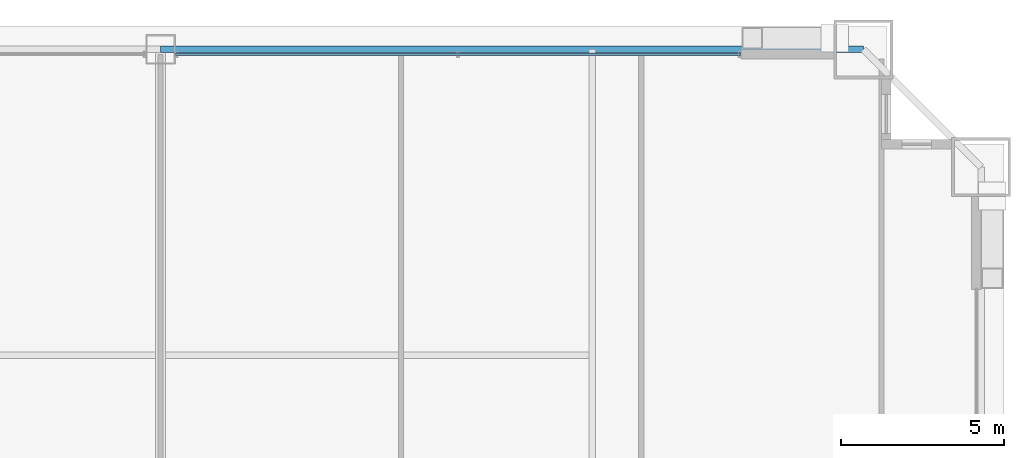
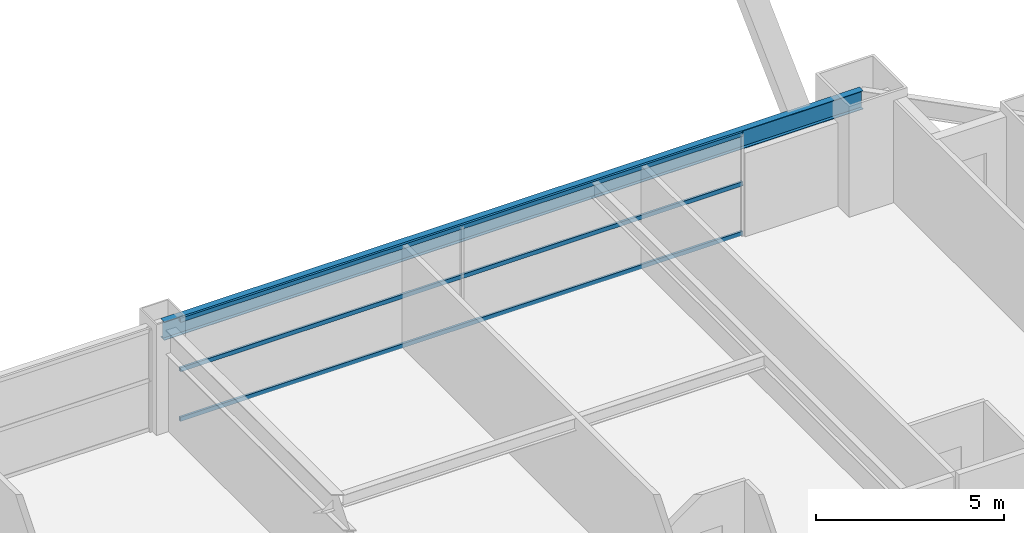
# One storey, part 36 of 43: 3 members, 1 beam, 1 element without a shape of its own.
"""IFC4 building model written with IfcOpenShell, lengths in metres."""

import ifcopenshell
import ifcopenshell.guid

model = None  # the IFC model being written
_history = None  # IfcOwnerHistory: only IFC2X3 demands one
_inside = {}  # id of a spatial element -> (the spatial element, [elements in it])
_under = {}  # id of a project, library or spatial element -> (it, [spatial elements below it])
_declared = {}  # id of a project -> (the project, [libraries it declares])
_typed = {}  # id of a type object -> (the type object, [elements of that type])
_made_of = {}  # id of a material, layer set ... -> (it, [elements and type objects made of it])


def new_model(schema):
    """Start an empty IFC model of exactly this schema.

    Asked for "IFC4X3", IfcOpenShell would pick the latest addendum, in which some entities
    have other attributes; the version numbers below select the first issue.
    IFC2X3 requires an IfcOwnerHistory on every rooted entity: one is made here for all.
    """
    global model, _history
    if schema == "IFC4X3":
        model = ifcopenshell.file(schema_version=(4, 3, 0, 0))
    else:
        model = ifcopenshell.file(schema=schema)
    _inside.clear()
    _under.clear()
    _declared.clear()
    _typed.clear()
    _made_of.clear()
    _history = None
    if model.schema == "IFC2X3":
        org = make("IfcOrganization", Name="unknown")
        user = make(
            "IfcPersonAndOrganization",
            ThePerson=make("IfcPerson", FamilyName="unknown"),
            TheOrganization=org,
        )
        app = make(
            "IfcApplication",
            ApplicationDeveloper=org,
            Version="unknown",
            ApplicationFullName="unknown",
            ApplicationIdentifier="unknown",
        )
        _history = make(
            "IfcOwnerHistory",
            OwningUser=user,
            OwningApplication=app,
            ChangeAction="ADDED",
            CreationDate=0,
        )
    return model


def make(cls, **values):
    """One entity of the class cls with the attributes given. An attribute that is None is left unset."""
    return model.create_entity(
        cls, **{name: value for name, value in values.items() if value is not None}
    )


def rooted(cls, **values):
    """An entity with a GlobalId (a new one), such as an element, a storey or a relation."""
    return make(cls, GlobalId=ifcopenshell.guid.new(), OwnerHistory=_history, **values)


def si_unit(unit_type, name, prefix=None):
    """IfcSIUnit, for example si_unit("LENGTHUNIT", "METRE", prefix="MILLI")."""
    return make("IfcSIUnit", UnitType=unit_type, Prefix=prefix, Name=name)


def assignment(units):
    """IfcUnitAssignment: the units of a project."""
    return None if units is None else make("IfcUnitAssignment", Units=units)


def point(xyz):
    """IfcCartesianPoint."""
    return None if xyz is None else make("IfcCartesianPoint", Coordinates=xyz)


def direction(xyz):
    """IfcDirection."""
    return None if xyz is None else make("IfcDirection", DirectionRatios=xyz)


def frame(location, z_axis=None, x_axis=None):
    """IfcAxis2Placement3D, a coordinate frame: its origin and axes. An axis left out is left unset."""
    return make(
        "IfcAxis2Placement3D",
        Location=point(location),
        Axis=direction(z_axis),
        RefDirection=direction(x_axis),
    )


def frame_2d(location, x_axis=None):
    """IfcAxis2Placement2D, a coordinate frame in the plane: its origin and x axis."""
    return make(
        "IfcAxis2Placement2D", Location=point(location), RefDirection=direction(x_axis)
    )


def origin():
    """The frame at (0, 0, 0) with its axes left unset."""
    return frame((0.0, 0.0, 0.0))


def origin_2d():
    """The frame at (0, 0) in the plane with its x axis left unset."""
    return frame_2d((0.0, 0.0))


def place(relative_to, where):
    """IfcLocalPlacement: puts the frame where relative to a parent placement (None: the world)."""
    return make(
        "IfcLocalPlacement", PlacementRelTo=relative_to, RelativePlacement=where
    )


def context(
    kind, dimensions, precision=None, world=None, true_north=None, identifier=None
):
    """IfcGeometricRepresentationContext, for example the 3D "Model" context."""
    return make(
        "IfcGeometricRepresentationContext",
        ContextIdentifier=identifier,
        ContextType=kind,
        CoordinateSpaceDimension=dimensions,
        Precision=precision,
        WorldCoordinateSystem=world,
        TrueNorth=true_north,
    )


def subcontext(parent, identifier, kind, view, scale=None):
    """IfcGeometricRepresentationSubContext, for example "Body" below "Model"."""
    return make(
        "IfcGeometricRepresentationSubContext",
        ContextIdentifier=identifier,
        ContextType=kind,
        ParentContext=parent,
        TargetScale=scale,
        TargetView=view,
    )


def project(units=None, contexts=None):
    """IfcProject with its units and contexts."""
    return rooted(
        "IfcProject",
        Name="project",
        RepresentationContexts=contexts,
        UnitsInContext=assignment(units),
    )


def spatial(cls, under=None, at=None, **own):
    """A site, building, storey or space (cls), placed at a placement, below another one or the project."""
    s = rooted(cls, ObjectPlacement=at, **own)
    if under is not None:
        _under.setdefault(under.id(), (under, []))[1].append(s)
    return s


def profile(cls, at=None, kind="AREA", **sizes):
    """A parametric profile (cls). Its sizes go by their IFC names, for example OverallWidth=200.0."""
    return make(cls, ProfileType=kind, Position=at, **sizes)


def hollow_rectangle(**sizes):
    """IfcRectangleHollowProfileDef."""
    return profile("IfcRectangleHollowProfileDef", **sizes)


def i_section(**sizes):
    """IfcIShapeProfileDef."""
    return profile("IfcIShapeProfileDef", **sizes)


def extrude(swept, where, along, depth):
    """IfcExtrudedAreaSolid: the profile swept, set in the frame where, extruded along a direction by depth."""
    return make(
        "IfcExtrudedAreaSolid",
        SweptArea=swept,
        Position=where,
        ExtrudedDirection=direction(along),
        Depth=depth,
    )


def shape(context_of_items, identifier, shape_type, items):
    """IfcShapeRepresentation: the items that make up one representation, for example the "Body"."""
    return make(
        "IfcShapeRepresentation",
        ContextOfItems=context_of_items,
        RepresentationIdentifier=identifier,
        RepresentationType=shape_type,
        Items=items,
    )


def source(mapping_origin, context_of_items, identifier, shape_type, items):
    """IfcRepresentationMap: a shape defined once, which mapped items show again and again."""
    return make(
        "IfcRepresentationMap",
        MappingOrigin=mapping_origin,
        MappedRepresentation=shape(context_of_items, identifier, shape_type, items),
    )


def transform(
    local_origin,
    x_axis=None,
    y_axis=None,
    z_axis=None,
    scale=None,
    scale2=None,
    scale3=None,
    uniform=True,
):
    """IfcCartesianTransformationOperator3D, or its non-uniform kind. x_axis, y_axis, z_axis: its Axis1, 2, 3."""
    if uniform:
        return make(
            "IfcCartesianTransformationOperator3D",
            Axis1=direction(x_axis),
            Axis2=direction(y_axis),
            LocalOrigin=point(local_origin),
            Scale=scale,
            Axis3=direction(z_axis),
        )
    return make(
        "IfcCartesianTransformationOperator3DnonUniform",
        Axis1=direction(x_axis),
        Axis2=direction(y_axis),
        LocalOrigin=point(local_origin),
        Scale=scale,
        Axis3=direction(z_axis),
        Scale2=scale2,
        Scale3=scale3,
    )


def mapped(mapping_source, mapping_target):
    """IfcMappedItem: shows the shape of a source again, moved by a transform."""
    return make(
        "IfcMappedItem", MappingSource=mapping_source, MappingTarget=mapping_target
    )


def material(Name=None, Category=None):
    """IfcMaterial."""
    return make("IfcMaterial", Name=Name, Category=Category)


def layer(
    of_material, thickness, ventilated=None, Name=None, Category=None, Priority=None
):
    """IfcMaterialLayer: one layer of a wall or slab, of a material (None: an air gap)."""
    return make(
        "IfcMaterialLayer",
        Material=of_material,
        LayerThickness=thickness,
        IsVentilated=ventilated,
        Name=Name,
        Category=Category,
        Priority=Priority,
    )


def layer_set(layers, Name=None):
    """IfcMaterialLayerSet."""
    return make("IfcMaterialLayerSet", MaterialLayers=layers, LayerSetName=Name)


def material_profile(
    of_material, cross_section, Name=None, Category=None, Priority=None
):
    """IfcMaterialProfile: a cross section and its material."""
    return make(
        "IfcMaterialProfile",
        Name=Name,
        Material=of_material,
        Profile=cross_section,
        Priority=Priority,
        Category=Category,
    )


def profile_set(profiles, Name=None, composite=None):
    """IfcMaterialProfileSet."""
    return make(
        "IfcMaterialProfileSet",
        Name=Name,
        MaterialProfiles=profiles,
        CompositeProfile=composite,
    )


def made_of(thing, what):
    """Note that an element or type object is made of a material, layer set ...; save() writes the relation."""
    if what is not None:
        _made_of.setdefault(what.id(), (what, []))[1].append(thing)
    return thing


def type_object(cls, material=None, **own):
    """A type object (cls), such as IfcWallType, which elements share."""
    return made_of(rooted(cls, **own), material)


def element(
    cls,
    number,
    at=None,
    inside=None,
    cuts=None,
    type_object=None,
    material=None,
    context=None,
    identifier="Body",
    shape_type=None,
    held_by="IfcProductDefinitionShape",
    body=None,
    shapes=None,
    **own,
):
    """One element of the class cls, such as IfcWall. Its Tag is "e" and its number.

    at: its placement. inside: the storey or other place that contains it. cuts: it is an
    opening in that element (IfcRelVoidsElement). A single representation is given by context,
    identifier, shape_type and body (its items); several are given by shapes. held_by: the class
    of the entity that holds the representations. save() writes the other relations.
    """
    e = rooted(cls, Tag="e%d" % number, ObjectPlacement=at, **own)
    if body is not None:
        shapes = [shape(context, identifier, shape_type, body)]
    if shapes is not None:
        e.Representation = make(held_by, Representations=shapes)
    if inside is not None:
        _inside.setdefault(inside.id(), (inside, []))[1].append(e)
    if cuts is not None:
        rooted(
            "IfcRelVoidsElement", RelatingBuildingElement=cuts, RelatedOpeningElement=e
        )
    if type_object is not None:
        _typed.setdefault(type_object.id(), (type_object, []))[1].append(e)
    return made_of(e, material)


def aggregate(whole, parts):
    """IfcRelAggregates: a whole, such as a stair, and the parts it consists of."""
    return rooted("IfcRelAggregates", RelatingObject=whole, RelatedObjects=parts)


def save(model, path):
    """Write the relations noted so far, then the file.

    IfcRelAggregates (storeys below a building ...), IfcRelContainedInSpatialStructure (elements
    in a storey), IfcRelDefinesByType, IfcRelAssociatesMaterial and IfcRelDeclares: one each for
    every whole, place, type object, material and project.
    """
    for whole, parts in _under.values():
        aggregate(whole, parts)
    for where, things in _inside.values():
        rooted(
            "IfcRelContainedInSpatialStructure",
            RelatedElements=things,
            RelatingStructure=where,
        )
    for kind, things in _typed.values():
        rooted("IfcRelDefinesByType", RelatedObjects=things, RelatingType=kind)
    for what, things in _made_of.values():
        rooted("IfcRelAssociatesMaterial", RelatedObjects=things, RelatingMaterial=what)
    for by, libraries in _declared.values():
        rooted("IfcRelDeclares", RelatingContext=by, RelatedDefinitions=libraries)
    model.write(path)


model = new_model("IFC4")

# Units and contexts
model_context = context("Model", 3, precision=1e-05, world=origin(), true_north=direction((0.0, 1.0)))
body_context = subcontext(model_context, "Body", "Model", "MODEL_VIEW")
ifc_project = project(units=[si_unit("LENGTHUNIT", "METRE"), si_unit("AREAUNIT", "SQUARE_METRE"), si_unit("VOLUMEUNIT", "CUBIC_METRE"), si_unit("PLANEANGLEUNIT", "RADIAN"), si_unit("MASSUNIT", "GRAM", prefix="KILO"), si_unit("THERMODYNAMICTEMPERATUREUNIT", "KELVIN"), si_unit("POWERUNIT", "WATT")], contexts=[model_context])

# Site, building, storey
site_placement = place(None, origin())
site = spatial("IfcSite", under=ifc_project, at=site_placement, CompositionType="ELEMENT")
building_placement = place(site_placement, origin())
building = spatial("IfcBuilding", under=site, at=building_placement, Name="Yuzanri Waterfront Tower", CompositionType="ELEMENT")
storey_placement = place(building_placement, frame((0.0, 0.0, 37.800048828125)))
storey = spatial("IfcBuildingStorey", under=building, at=storey_placement, Name="L09", CompositionType="ELEMENT", Elevation=37.800048828125)

# Beam
ifc_material_1 = material(Name="Steel Q355B", Category="steel")
ifc_material_profile_1 = material_profile(ifc_material_1, i_section(OverallWidth=0.199951171875, OverallDepth=0.60009765625, WebThickness=0.010986328125, FlangeThickness=0.01708984375, at=origin_2d()), Name="HN 600x200x11x17")
ifc_profile_set_1 = profile_set([ifc_material_profile_1], Name="Steel Q355B")
beam_type = type_object("IfcBeamType", Name="Perimeter Spandrel Q355B HN 600x200", PredefinedType="SPANDREL", material=ifc_profile_set_1)
shared_shape_1 = source(origin(), body_context, "Body", "SweptSolid", [
    extrude(i_section(OverallWidth=0.199951171875, OverallDepth=0.60009765625, WebThickness=0.010986328125, FlangeThickness=0.01708984375, at=origin_2d()), origin(), (0.0, 0.0, 1.0), 21.5),
])
beam_placement = place(storey_placement, frame((58.5, 50.89990234375, 3.02001953125), z_axis=(-1.0, 0.0, 0.0), x_axis=(0.0, -1.0, 0.0)))
element("IfcBeam", 1, at=beam_placement, inside=storey, type_object=beam_type, Name="L09 Perimeter Spandrel N3-N2", PredefinedType="SPANDREL", context=body_context, shape_type="MappedRepresentation", body=[
    mapped(shared_shape_1, transform((0.0, 0.0, 0.0), scale=1.0)),
])

# Curtain wall, members
ifc_material_2 = material(Name="Anodized Architectural Bronze", Category="metal")
ifc_layer = layer(ifc_material_2, 0.159912109375)
ifc_layer_set = layer_set([ifc_layer], Name="Anodized Architectural Bronze")
curtain_wall_type = type_object("IfcCurtainWallType", Name="Anodized Bronze Hotel Lower-Tier Recessed Unitized Curtain Wall 8100", PredefinedType="NOTDEFINED", material=ifc_layer_set)
curtain_wall_placement = place(storey_placement, origin())
curtain_wall = element("IfcCurtainWall", 2, at=curtain_wall_placement, inside=storey, type_object=curtain_wall_type, Name="L09 Curtain Wall CW-L09-NR", PredefinedType="NOTDEFINED")
ifc_material_3 = material(Name="Anodized Architectural Bronze", Category="metal")
ifc_material_profile_2 = material_profile(ifc_material_3, hollow_rectangle(XDim=0.070068359375, YDim=0.135009765625, WallThickness=0.00341796875, at=origin_2d()), Name="CWT 70x135")
ifc_profile_set_2 = profile_set([ifc_material_profile_2], Name="Anodized Architectural Bronze")
member_type = type_object("IfcMemberType", Name="Anodized Bronze Standard Curtain-Wall Transom 70x135", PredefinedType="USERDEFINED", material=ifc_profile_set_2)
shared_shape_2 = source(origin(), body_context, "Body", "SweptSolid", [
    extrude(hollow_rectangle(XDim=0.070068359375, YDim=0.135009765625, WallThickness=0.00341796875, at=origin_2d()), origin(), (0.0, 0.0, 1.0), 17.300048828125),
])
member_1_placement = place(storey_placement, frame((37.449951171875, 50.75, 0.050048828125), z_axis=(1.0, 0.0, 0.0), x_axis=(0.0, 1.0, 0.0)))
member_1 = element("IfcMember", 3, at=member_1_placement, type_object=member_type, Name="CW-L09-NR Transom 1", ObjectType="TRANSOM", PredefinedType="USERDEFINED", context=body_context, shape_type="MappedRepresentation", body=[
    mapped(shared_shape_2, transform((0.0, 0.0, 0.0), scale=1.0)),
])
member_2_placement = place(storey_placement, frame((37.449951171875, 50.75, 1.659912109375), z_axis=(1.0, 0.0, 0.0), x_axis=(0.0, 1.0, 0.0)))
member_2 = element("IfcMember", 4, at=member_2_placement, type_object=member_type, Name="CW-L09-NR Transom 2", ObjectType="TRANSOM", PredefinedType="USERDEFINED", context=body_context, shape_type="MappedRepresentation", body=[
    mapped(shared_shape_2, transform((0.0, 0.0, 0.0), scale=1.0)),
])
member_3_placement = place(storey_placement, frame((37.449951171875, 50.75, 3.27001953125), z_axis=(1.0, 0.0, 0.0), x_axis=(0.0, 1.0, 0.0)))
member_3 = element("IfcMember", 5, at=member_3_placement, type_object=member_type, Name="CW-L09-NR Transom 3", ObjectType="TRANSOM", PredefinedType="USERDEFINED", context=body_context, shape_type="MappedRepresentation", body=[
    mapped(shared_shape_2, transform((0.0, 0.0, 0.0), scale=1.0)),
])
aggregate(curtain_wall, [member_1, member_2, member_3])

save(model, "model.ifc")
